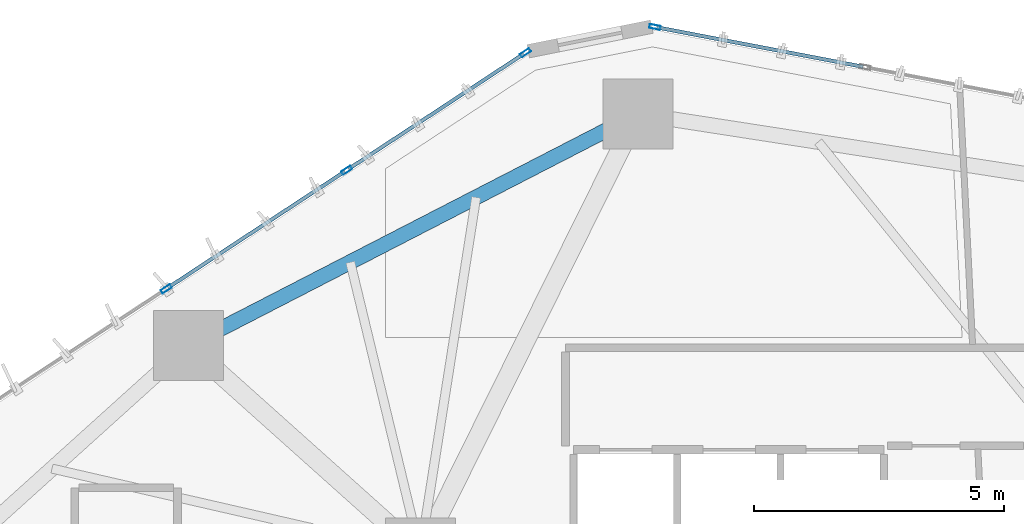
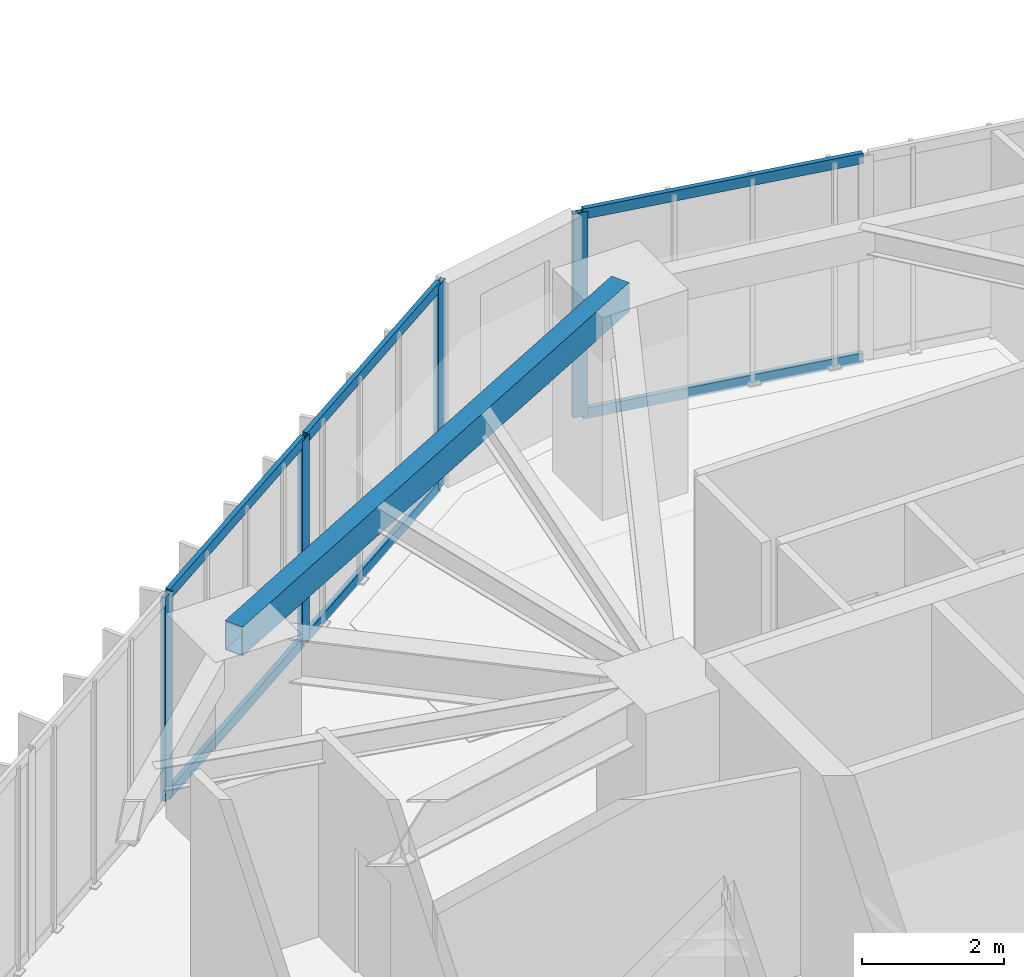
# One storey, part 13 of 20: 10 members, 1 beam, 2 elements without a shape of their own.
"""IFC4 building model written with IfcOpenShell, lengths in metres."""

from ifc_helpers import new_model, si_unit, direction, frame, origin, origin_2d, place, context, subcontext, project, spatial, hollow_rectangle, extrude, source, transform, mapped, material, layer, layer_set, material_profile, profile_set, type_object, type_shapes, element, aggregate, save


model = new_model("IFC4")

# Units and contexts
model_context = context("Model", 3, precision=1e-05, world=origin(), true_north=direction((0.0, 1.0)))
body_context = subcontext(model_context, "Body", "Model", "MODEL_VIEW")
ifc_project = project(units=[si_unit("LENGTHUNIT", "METRE"), si_unit("AREAUNIT", "SQUARE_METRE"), si_unit("VOLUMEUNIT", "CUBIC_METRE"), si_unit("PLANEANGLEUNIT", "RADIAN"), si_unit("MASSUNIT", "GRAM", prefix="KILO")], contexts=[model_context])

# Site, building, storey
site_placement = place(None, origin())
site = spatial("IfcSite", under=ifc_project, at=site_placement, CompositionType="ELEMENT")
building_placement = place(site_placement, origin())
building = spatial("IfcBuilding", under=site, at=building_placement, Name="Talar Marvaseh", CompositionType="ELEMENT")
storey_placement = place(building_placement, frame((0.0, 0.0, 58.199951171875)))
storey = spatial("IfcBuildingStorey", under=building, at=storey_placement, Name="L14", CompositionType="ELEMENT", Elevation=58.199951171875)

# Beam
ifc_material_1 = material(Name="Steel S355", Category="steel")
ifc_material_profile_1 = material_profile(ifc_material_1, hollow_rectangle(XDim=0.300048828125, YDim=0.5, WallThickness=0.02001953125, at=origin_2d()), Name="RHS500x300x20")
ifc_profile_set_1 = profile_set([ifc_material_profile_1], Name="Steel S355")
beam_type = type_object("IfcBeamType", Name="Zone 1 Perimeter Spandrel Beam RHS500x300x20", PredefinedType="SPANDREL", material=ifc_profile_set_1)
beam_placement = place(storey_placement, frame((14.069091796875, 41.04296875, 3.27001953125), z_axis=(0.889015710182, 0.457876694155, 0.0), x_axis=(-0.457876694155, 0.889015710182, 0.0)))
element("IfcBeam", 1, at=beam_placement, inside=storey, type_object=beam_type, Name="L14 Zone 1 Perimeter Spandrel Beam RHS500x300x20", PredefinedType="SPANDREL", context=body_context, shape_type="SweptSolid", body=[
    extrude(hollow_rectangle(XDim=0.300048828125, YDim=0.5, WallThickness=0.02001953125, at=origin_2d()), origin(), (0.0, 0.0, 1.0), 10.098876953125),
])

# Curtain wall, members
ifc_material_2 = material(Name="Architectural Aluminium", Category="aluminium")
ifc_layer = layer(ifc_material_2, 0.219970703125)
ifc_layer_set = layer_set([ifc_layer], Name="Architectural Aluminium")
curtain_wall_type = type_object("IfcCurtainWallType", Name="Unitised Low-E Museum Curtain Wall Z1", PredefinedType="NOTDEFINED", material=ifc_layer_set)
curtain_wall_1_placement = place(storey_placement, origin())
curtain_wall_1 = element("IfcCurtainWall", 2, at=curtain_wall_1_placement, inside=storey, type_object=curtain_wall_type, Name="L14 Unitised Low-E Museum Curtain Wall Z1", PredefinedType="NOTDEFINED")
ifc_material_profile_2 = material_profile(ifc_material_2, hollow_rectangle(XDim=0.080078125, YDim=0.219970703125, WallThickness=0.0048828125, at=origin_2d()), Name="RHS220x80x5")
ifc_profile_set_2 = profile_set([ifc_material_profile_2], Name="Architectural Aluminium")
member_type_1 = type_object("IfcMemberType", Name="Unitised Curtain Wall Heavy Mullion RHS220x80x5", PredefinedType="MULLION", material=ifc_profile_set_2)
shared_shape_1 = source(origin(), body_context, "Body", "SweptSolid", [
    extrude(hollow_rectangle(XDim=0.080078125, YDim=0.219970703125, WallThickness=0.0048828125, at=origin_2d()), origin(), (0.0, 0.0, 1.0), 3.52001953125),
])
type_shapes(member_type_1, [shared_shape_1])
member_1_placement = place(storey_placement, frame((13.626953125, 42.173583984375, 0.0), z_axis=(0.0, 0.0, 1.0), x_axis=(-0.549283048067, 0.83563636416, 0.0)))
member_1 = element("IfcMember", 3, at=member_1_placement, type_object=member_type_1, Name="CW-Z1 mullion 3", PredefinedType="MULLION", context=body_context, shape_type="MappedRepresentation", body=[
    mapped(shared_shape_1, transform((0.0, 0.0, 0.0), x_axis=(1.0, 0.0, 0.0), y_axis=(0.0, 1.0, 0.0), z_axis=(0.0, 0.0, 1.0), scale=1.0)),
])
member_2_placement = place(storey_placement, frame((17.230224609375, 44.542236328125, 0.0), z_axis=(0.0, 0.0, 1.0), x_axis=(-0.549283048067, 0.83563636416, 0.0)))
member_2 = element("IfcMember", 4, at=member_2_placement, type_object=member_type_1, Name="CW-Z1 mullion 4", PredefinedType="MULLION", context=body_context, shape_type="MappedRepresentation", body=[
    mapped(shared_shape_1, transform((0.0, 0.0, 0.0), x_axis=(1.0, 0.0, 0.0), y_axis=(0.0, 1.0, 0.0), z_axis=(0.0, 0.0, 1.0), scale=1.0)),
])
member_3_placement = place(storey_placement, frame((20.7998046875, 46.888671875, 0.0), z_axis=(0.0, 0.0, 1.0), x_axis=(-0.549283048067, 0.83563636416, 0.0)))
member_3 = element("IfcMember", 5, at=member_3_placement, type_object=member_type_1, Name="CW-Z1 mullion 5", PredefinedType="MULLION", context=body_context, shape_type="MappedRepresentation", body=[
    mapped(shared_shape_1, transform((0.0, 0.0, 0.0), x_axis=(1.0, 0.0, 0.0), y_axis=(0.0, 1.0, 0.0), z_axis=(0.0, 0.0, 1.0), scale=1.0)),
])

curtain_wall_2_placement = place(storey_placement, origin())
curtain_wall_2 = element("IfcCurtainWall", 6, at=curtain_wall_2_placement, inside=storey, type_object=curtain_wall_type, Name="L14 Unitised Low-E Museum Curtain Wall Z1", PredefinedType="NOTDEFINED")
member_4_placement = place(storey_placement, frame((23.384521484375, 47.402587890625, 0.0), z_axis=(0.0, 0.0, 1.0), x_axis=(0.187685158786, 0.982229240642, 0.0)))
member_4 = element("IfcMember", 7, at=member_4_placement, type_object=member_type_1, Name="CW-Z1 mullion 1", PredefinedType="MULLION", context=body_context, shape_type="MappedRepresentation", body=[
    mapped(shared_shape_1, transform((0.0, 0.0, 0.0), x_axis=(1.0, 0.0, 0.0), y_axis=(0.0, 1.0, 0.0), z_axis=(0.0, 0.0, 1.0), scale=1.0)),
])
ifc_material_profile_3 = material_profile(ifc_material_2, hollow_rectangle(XDim=0.074951171875, YDim=0.179931640625, WallThickness=0.0048828125, at=origin_2d()), Name="RHS180x75x5")
ifc_profile_set_3 = profile_set([ifc_material_profile_3], Name="Architectural Aluminium")
member_type_2 = type_object("IfcMemberType", Name="Unitised Curtain Wall Transom RHS180x75x5", PredefinedType="USERDEFINED", material=ifc_profile_set_3)
shared_shape_2 = source(origin(), body_context, "Body", "SweptSolid", [
    extrude(hollow_rectangle(XDim=0.074951171875, YDim=0.179931640625, WallThickness=0.0048828125, at=origin_2d()), origin(), (0.0, 0.0, 1.0), 4.19189453125),
])
member_5_placement = place(storey_placement, frame((23.423828125, 47.395263671875, 0.03759765625), z_axis=(0.982224707986, -0.187708878378, 0.0), x_axis=(0.187708878378, 0.982224707986, 0.0)))
member_5 = element("IfcMember", 8, at=member_5_placement, type_object=member_type_2, Name="CW-Z1 transom 1.1", ObjectType="TRANSOM", PredefinedType="USERDEFINED", context=body_context, shape_type="MappedRepresentation", body=[
    mapped(shared_shape_2, transform((0.0, 0.0, 0.0), x_axis=(1.0, 0.0, 0.0), y_axis=(0.0, 1.0, 0.0), z_axis=(0.0, 0.0, 1.0), scale=1.0)),
])
member_6_placement = place(storey_placement, frame((23.423828125, 47.395263671875, 3.482666015625), z_axis=(0.982224707986, -0.187708878378, 0.0), x_axis=(0.187708878378, 0.982224707986, 0.0)))
member_6 = element("IfcMember", 9, at=member_6_placement, type_object=member_type_2, Name="CW-Z1 transom 1.2", ObjectType="TRANSOM", PredefinedType="USERDEFINED", context=body_context, shape_type="MappedRepresentation", body=[
    mapped(shared_shape_2, transform((0.0, 0.0, 0.0), x_axis=(1.0, 0.0, 0.0), y_axis=(0.0, 1.0, 0.0), z_axis=(0.0, 0.0, 1.0), scale=1.0)),
])
aggregate(curtain_wall_2, [member_4, member_5, member_6])

# Member
shared_shape_3 = source(origin(), body_context, "Body", "SweptSolid", [
    extrude(hollow_rectangle(XDim=0.074951171875, YDim=0.179931640625, WallThickness=0.0048828125, at=origin_2d()), origin(), (0.0, 0.0, 1.0), 4.23193359375),
])
member_7_placement = place(storey_placement, frame((13.660400390625, 42.195556640625, 0.03759765625), z_axis=(0.835618475953, 0.549310260823, 0.0), x_axis=(-0.549310260823, 0.835618475953, 0.0)))
member_7 = element("IfcMember", 10, at=member_7_placement, type_object=member_type_2, Name="CW-Z1 transom 3.1", ObjectType="TRANSOM", PredefinedType="USERDEFINED", context=body_context, shape_type="MappedRepresentation", body=[
    mapped(shared_shape_3, transform((0.0, 0.0, 0.0), x_axis=(1.0, 0.0, 0.0), y_axis=(0.0, 1.0, 0.0), z_axis=(0.0, 0.0, 1.0), scale=1.0)),
])

member_8_placement = place(storey_placement, frame((13.660400390625, 42.195556640625, 3.482666015625), z_axis=(0.835618475953, 0.549310260823, 0.0), x_axis=(-0.549310260823, 0.835618475953, 0.0)))
member_8 = element("IfcMember", 11, at=member_8_placement, type_object=member_type_2, Name="CW-Z1 transom 3.2", ObjectType="TRANSOM", PredefinedType="USERDEFINED", context=body_context, shape_type="MappedRepresentation", body=[
    mapped(shared_shape_3, transform((0.0, 0.0, 0.0), x_axis=(1.0, 0.0, 0.0), y_axis=(0.0, 1.0, 0.0), z_axis=(0.0, 0.0, 1.0), scale=1.0)),
])

shared_shape_4 = source(origin(), body_context, "Body", "SweptSolid", [
    extrude(hollow_rectangle(XDim=0.074951171875, YDim=0.179931640625, WallThickness=0.0048828125, at=origin_2d()), origin(), (0.0, 0.0, 1.0), 4.191650390625),
])
type_shapes(member_type_2, [shared_shape_2, shared_shape_3, shared_shape_4])
member_9_placement = place(storey_placement, frame((17.263671875, 44.564208984375, 0.03759765625), z_axis=(0.835626041346, 0.549298752069, 0.0), x_axis=(-0.549298752069, 0.835626041346, 0.0)))
member_9 = element("IfcMember", 12, at=member_9_placement, type_object=member_type_2, Name="CW-Z1 transom 4.1", ObjectType="TRANSOM", PredefinedType="USERDEFINED", context=body_context, shape_type="MappedRepresentation", body=[
    mapped(shared_shape_4, transform((0.0, 0.0, 0.0), x_axis=(1.0, 0.0, 0.0), y_axis=(0.0, 1.0, 0.0), z_axis=(0.0, 0.0, 1.0), scale=1.0)),
])

member_10_placement = place(storey_placement, frame((17.263671875, 44.564208984375, 3.482666015625), z_axis=(0.835626041346, 0.549298752069, 0.0), x_axis=(-0.549298752069, 0.835626041346, 0.0)))
member_10 = element("IfcMember", 13, at=member_10_placement, type_object=member_type_2, Name="CW-Z1 transom 4.2", ObjectType="TRANSOM", PredefinedType="USERDEFINED", context=body_context, shape_type="MappedRepresentation", body=[
    mapped(shared_shape_4, transform((0.0, 0.0, 0.0), x_axis=(1.0, 0.0, 0.0), y_axis=(0.0, 1.0, 0.0), z_axis=(0.0, 0.0, 1.0), scale=1.0)),
])

aggregate(curtain_wall_1, [member_1, member_2, member_3, member_7, member_8, member_9, member_10])

save(model, "model.ifc")
